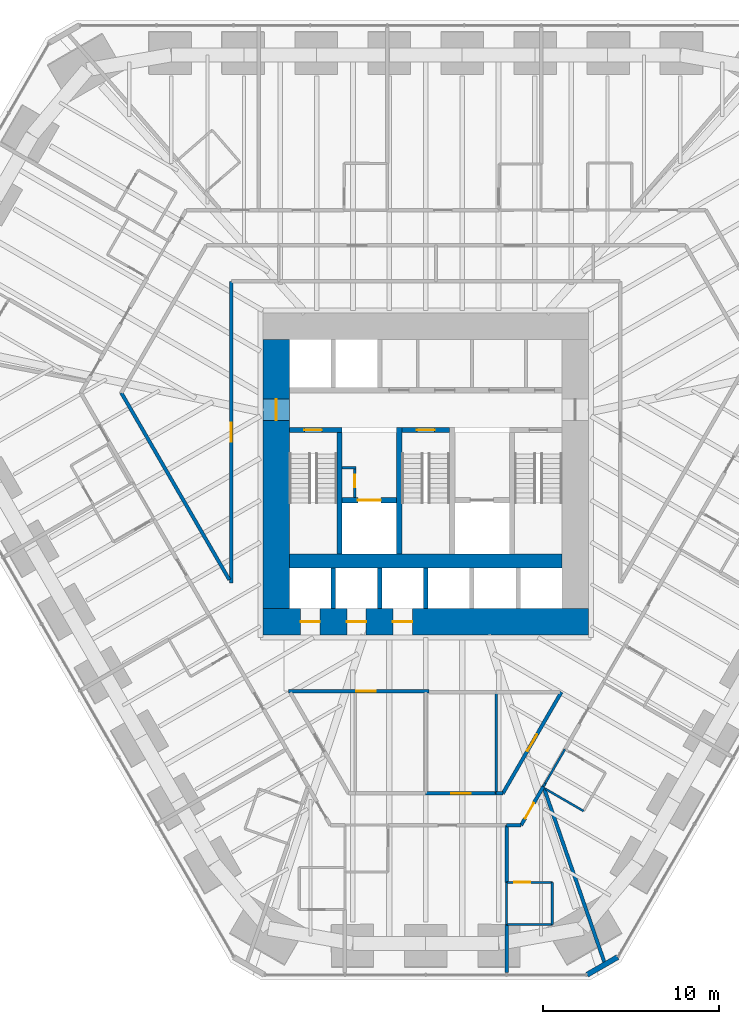
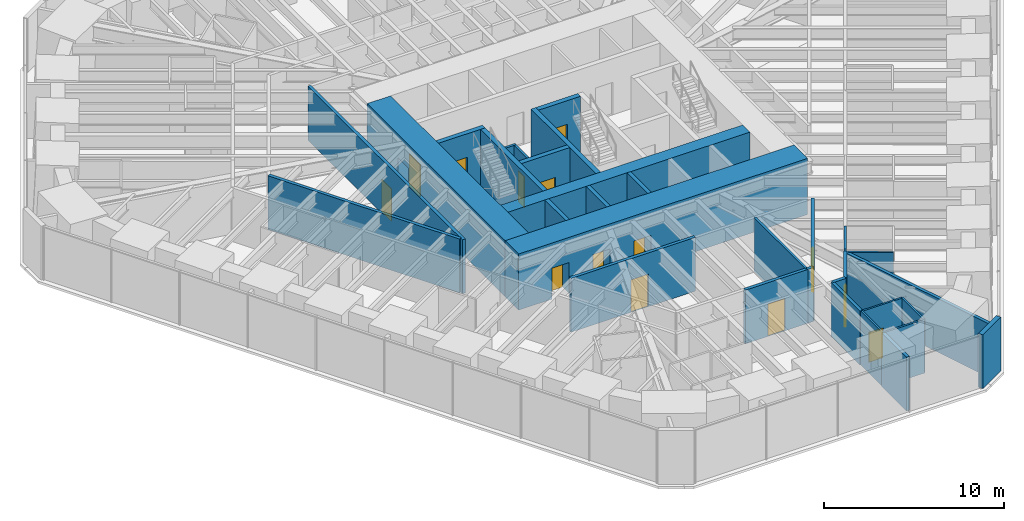
# One storey, part 12 of 17: 33 walls, 14 doors, 14 openings.
"""IFC4 building model written with IfcOpenShell, lengths in metres."""

import ifcopenshell
import ifcopenshell.guid

model = None  # the IFC model being written
_history = None  # IfcOwnerHistory: only IFC2X3 demands one
_inside = {}  # id of a spatial element -> (the spatial element, [elements in it])
_under = {}  # id of a project, library or spatial element -> (it, [spatial elements below it])
_declared = {}  # id of a project -> (the project, [libraries it declares])
_typed = {}  # id of a type object -> (the type object, [elements of that type])
_made_of = {}  # id of a material, layer set ... -> (it, [elements and type objects made of it])


def new_model(schema):
    """Start an empty IFC model of exactly this schema.

    Asked for "IFC4X3", IfcOpenShell would pick the latest addendum, in which some entities
    have other attributes; the version numbers below select the first issue.
    IFC2X3 requires an IfcOwnerHistory on every rooted entity: one is made here for all.
    """
    global model, _history
    if schema == "IFC4X3":
        model = ifcopenshell.file(schema_version=(4, 3, 0, 0))
    else:
        model = ifcopenshell.file(schema=schema)
    _inside.clear()
    _under.clear()
    _declared.clear()
    _typed.clear()
    _made_of.clear()
    _history = None
    if model.schema == "IFC2X3":
        org = make("IfcOrganization", Name="unknown")
        user = make(
            "IfcPersonAndOrganization",
            ThePerson=make("IfcPerson", FamilyName="unknown"),
            TheOrganization=org,
        )
        app = make(
            "IfcApplication",
            ApplicationDeveloper=org,
            Version="unknown",
            ApplicationFullName="unknown",
            ApplicationIdentifier="unknown",
        )
        _history = make(
            "IfcOwnerHistory",
            OwningUser=user,
            OwningApplication=app,
            ChangeAction="ADDED",
            CreationDate=0,
        )
    return model


def make(cls, **values):
    """One entity of the class cls with the attributes given. An attribute that is None is left unset."""
    return model.create_entity(
        cls, **{name: value for name, value in values.items() if value is not None}
    )


def rooted(cls, **values):
    """An entity with a GlobalId (a new one), such as an element, a storey or a relation."""
    return make(cls, GlobalId=ifcopenshell.guid.new(), OwnerHistory=_history, **values)


def si_unit(unit_type, name, prefix=None):
    """IfcSIUnit, for example si_unit("LENGTHUNIT", "METRE", prefix="MILLI")."""
    return make("IfcSIUnit", UnitType=unit_type, Prefix=prefix, Name=name)


def assignment(units):
    """IfcUnitAssignment: the units of a project."""
    return None if units is None else make("IfcUnitAssignment", Units=units)


def point(xyz):
    """IfcCartesianPoint."""
    return None if xyz is None else make("IfcCartesianPoint", Coordinates=xyz)


def direction(xyz):
    """IfcDirection."""
    return None if xyz is None else make("IfcDirection", DirectionRatios=xyz)


def frame(location, z_axis=None, x_axis=None):
    """IfcAxis2Placement3D, a coordinate frame: its origin and axes. An axis left out is left unset."""
    return make(
        "IfcAxis2Placement3D",
        Location=point(location),
        Axis=direction(z_axis),
        RefDirection=direction(x_axis),
    )


def frame_2d(location, x_axis=None):
    """IfcAxis2Placement2D, a coordinate frame in the plane: its origin and x axis."""
    return make(
        "IfcAxis2Placement2D", Location=point(location), RefDirection=direction(x_axis)
    )


def origin():
    """The frame at (0, 0, 0) with its axes left unset."""
    return frame((0.0, 0.0, 0.0))


def place(relative_to, where):
    """IfcLocalPlacement: puts the frame where relative to a parent placement (None: the world)."""
    return make(
        "IfcLocalPlacement", PlacementRelTo=relative_to, RelativePlacement=where
    )


def context(
    kind, dimensions, precision=None, world=None, true_north=None, identifier=None
):
    """IfcGeometricRepresentationContext, for example the 3D "Model" context."""
    return make(
        "IfcGeometricRepresentationContext",
        ContextIdentifier=identifier,
        ContextType=kind,
        CoordinateSpaceDimension=dimensions,
        Precision=precision,
        WorldCoordinateSystem=world,
        TrueNorth=true_north,
    )


def subcontext(parent, identifier, kind, view, scale=None):
    """IfcGeometricRepresentationSubContext, for example "Body" below "Model"."""
    return make(
        "IfcGeometricRepresentationSubContext",
        ContextIdentifier=identifier,
        ContextType=kind,
        ParentContext=parent,
        TargetScale=scale,
        TargetView=view,
    )


def project(units=None, contexts=None):
    """IfcProject with its units and contexts."""
    return rooted(
        "IfcProject",
        Name="project",
        RepresentationContexts=contexts,
        UnitsInContext=assignment(units),
    )


def spatial(cls, under=None, at=None, **own):
    """A site, building, storey or space (cls), placed at a placement, below another one or the project."""
    s = rooted(cls, ObjectPlacement=at, **own)
    if under is not None:
        _under.setdefault(under.id(), (under, []))[1].append(s)
    return s


def profile(cls, at=None, kind="AREA", **sizes):
    """A parametric profile (cls). Its sizes go by their IFC names, for example OverallWidth=200.0."""
    return make(cls, ProfileType=kind, Position=at, **sizes)


def rectangle(**sizes):
    """IfcRectangleProfileDef."""
    return profile("IfcRectangleProfileDef", **sizes)


def extrude(swept, where, along, depth):
    """IfcExtrudedAreaSolid: the profile swept, set in the frame where, extruded along a direction by depth."""
    return make(
        "IfcExtrudedAreaSolid",
        SweptArea=swept,
        Position=where,
        ExtrudedDirection=direction(along),
        Depth=depth,
    )


def shape(context_of_items, identifier, shape_type, items):
    """IfcShapeRepresentation: the items that make up one representation, for example the "Body"."""
    return make(
        "IfcShapeRepresentation",
        ContextOfItems=context_of_items,
        RepresentationIdentifier=identifier,
        RepresentationType=shape_type,
        Items=items,
    )


def material(Name=None, Category=None):
    """IfcMaterial."""
    return make("IfcMaterial", Name=Name, Category=Category)


def layer(
    of_material, thickness, ventilated=None, Name=None, Category=None, Priority=None
):
    """IfcMaterialLayer: one layer of a wall or slab, of a material (None: an air gap)."""
    return make(
        "IfcMaterialLayer",
        Material=of_material,
        LayerThickness=thickness,
        IsVentilated=ventilated,
        Name=Name,
        Category=Category,
        Priority=Priority,
    )


def layer_set(layers, Name=None):
    """IfcMaterialLayerSet."""
    return make("IfcMaterialLayerSet", MaterialLayers=layers, LayerSetName=Name)


def made_of(thing, what):
    """Note that an element or type object is made of a material, layer set ...; save() writes the relation."""
    if what is not None:
        _made_of.setdefault(what.id(), (what, []))[1].append(thing)
    return thing


def type_object(cls, material=None, **own):
    """A type object (cls), such as IfcWallType, which elements share."""
    return made_of(rooted(cls, **own), material)


def element(
    cls,
    number,
    at=None,
    inside=None,
    cuts=None,
    type_object=None,
    material=None,
    context=None,
    identifier="Body",
    shape_type=None,
    held_by="IfcProductDefinitionShape",
    body=None,
    shapes=None,
    **own,
):
    """One element of the class cls, such as IfcWall. Its Tag is "e" and its number.

    at: its placement. inside: the storey or other place that contains it. cuts: it is an
    opening in that element (IfcRelVoidsElement). A single representation is given by context,
    identifier, shape_type and body (its items); several are given by shapes. held_by: the class
    of the entity that holds the representations. save() writes the other relations.
    """
    e = rooted(cls, Tag="e%d" % number, ObjectPlacement=at, **own)
    if body is not None:
        shapes = [shape(context, identifier, shape_type, body)]
    if shapes is not None:
        e.Representation = make(held_by, Representations=shapes)
    if inside is not None:
        _inside.setdefault(inside.id(), (inside, []))[1].append(e)
    if cuts is not None:
        rooted(
            "IfcRelVoidsElement", RelatingBuildingElement=cuts, RelatedOpeningElement=e
        )
    if type_object is not None:
        _typed.setdefault(type_object.id(), (type_object, []))[1].append(e)
    return made_of(e, material)


def fill(opening, filler):
    """IfcRelFillsElement: the door or window that sits in an opening."""
    return rooted(
        "IfcRelFillsElement",
        RelatingOpeningElement=opening,
        RelatedBuildingElement=filler,
    )


def aggregate(whole, parts):
    """IfcRelAggregates: a whole, such as a stair, and the parts it consists of."""
    return rooted("IfcRelAggregates", RelatingObject=whole, RelatedObjects=parts)


def save(model, path):
    """Write the relations noted so far, then the file.

    IfcRelAggregates (storeys below a building ...), IfcRelContainedInSpatialStructure (elements
    in a storey), IfcRelDefinesByType, IfcRelAssociatesMaterial and IfcRelDeclares: one each for
    every whole, place, type object, material and project.
    """
    for whole, parts in _under.values():
        aggregate(whole, parts)
    for where, things in _inside.values():
        rooted(
            "IfcRelContainedInSpatialStructure",
            RelatedElements=things,
            RelatingStructure=where,
        )
    for kind, things in _typed.values():
        rooted("IfcRelDefinesByType", RelatedObjects=things, RelatingType=kind)
    for what, things in _made_of.values():
        rooted("IfcRelAssociatesMaterial", RelatedObjects=things, RelatingMaterial=what)
    for by, libraries in _declared.values():
        rooted("IfcRelDeclares", RelatingContext=by, RelatedDefinitions=libraries)
    model.write(path)


model = new_model("IFC4")

# Units and contexts
model_context = context("Model", 3, precision=1e-05, world=origin(), true_north=direction((0.0, 1.0)))
body_context = subcontext(model_context, "Body", "Model", "MODEL_VIEW")
ifc_project = project(units=[si_unit("LENGTHUNIT", "METRE"), si_unit("AREAUNIT", "SQUARE_METRE"), si_unit("VOLUMEUNIT", "CUBIC_METRE"), si_unit("PLANEANGLEUNIT", "RADIAN"), si_unit("MASSUNIT", "GRAM", prefix="KILO")], contexts=[model_context])

# Site, building, storey
site_placement = place(None, origin())
site = spatial("IfcSite", under=ifc_project, at=site_placement, CompositionType="ELEMENT")
building_placement = place(site_placement, origin())
building = spatial("IfcBuilding", under=site, at=building_placement, Name="Sandreach Pilgrim Tower", CompositionType="ELEMENT")
storey_placement = place(building_placement, frame((0.0, 0.0, 64.800048828125)))
storey = spatial("IfcBuildingStorey", under=building, at=storey_placement, Name="L15", CompositionType="ELEMENT", Elevation=64.800048828125)

# Walls
ifc_material_1 = material(Name="Gypsum board on steel studs", Category="steel")
ifc_layer_1 = layer(ifc_material_1, 0.14990234375)
ifc_layer_set_1 = layer_set([ifc_layer_1], Name="Back of house wall 150")
wall_type_1 = type_object("IfcWallType", Name="Back of house wall 150", PredefinedType="PARTITIONING", material=ifc_layer_set_1)
wall_1_placement = place(storey_placement, frame((4.0, -13.949951171875, 0.0), z_axis=(0.0, 0.0, 1.0), x_axis=(0.0, -1.0, 0.0)))
element("IfcWall", 1, at=wall_1_placement, inside=storey, type_object=wall_type_1, Name="Back of house wall L15-093", PredefinedType="PARTITIONING", context=body_context, shape_type="SweptSolid", body=[
    extrude(rectangle(XDim=5.760009765625, YDim=0.14990234375, at=frame_2d((2.8798828125, 0.0))), origin(), (0.0, 0.0, 1.0), 3.639892578125),
])
ifc_material_2 = material(Name="Moisture-resistant gypsum board on steel studs", Category="steel")
ifc_layer_2 = layer(ifc_material_2, 0.1201171875)
ifc_layer_set_2 = layer_set([ifc_layer_2], Name="Bathroom partition 120")
wall_type_2 = type_object("IfcWallType", Name="Bathroom partition 120", PredefinedType="PARTITIONING", material=ifc_layer_set_2)
wall_2_placement = place(storey_placement, frame((4.590087890625, -27.159912109375, 0.0), z_axis=(0.0, 0.0, 1.0), x_axis=(0.0, 1.0, 0.0)))
element("IfcWall", 2, at=wall_2_placement, inside=storey, type_object=wall_type_2, Name="Bathroom partition L15-099", PredefinedType="PARTITIONING", context=body_context, shape_type="SweptSolid", body=[
    extrude(rectangle(XDim=2.39990234375, YDim=0.1201171875, at=frame_2d((1.199951171875, 0.0))), origin(), (0.0, 0.0, 1.0), 3.639892578125),
])
wall_3_placement = place(storey_placement, frame((4.590087890625, -27.159912109375, 0.0), z_axis=(0.0, 0.0, 1.0), x_axis=(1.0, 0.0, 0.0)))
element("IfcWall", 3, at=wall_3_placement, inside=storey, type_object=wall_type_2, Name="Bathroom partition L15-100", PredefinedType="PARTITIONING", context=body_context, shape_type="SweptSolid", body=[
    extrude(rectangle(XDim=2.599853515625, YDim=0.1201171875, at=frame_2d((1.2998046875, 0.0))), origin(), (0.0, 0.0, 1.0), 3.639892578125),
])
wall_4_placement = place(storey_placement, frame((6.68994140625, -19.31005859375, 0.0), z_axis=(0.0, 0.0, 1.0), x_axis=(0.486146223419, 0.873877479659, 0.0)))
element("IfcWall", 4, at=wall_4_placement, inside=storey, type_object=wall_type_2, Name="Bathroom partition L15-108", PredefinedType="PARTITIONING", context=body_context, shape_type="SweptSolid", body=[
    extrude(rectangle(XDim=0.205810546875, YDim=0.1201171875, at=frame_2d((0.10302734375, 0.0))), origin(), (0.0, 0.0, 1.0), 3.639892578125),
])
wall_5_placement = place(storey_placement, frame((6.7900390625, -19.1298828125, 0.0), z_axis=(0.0, 0.0, 1.0), x_axis=(0.501890014208, 0.864931450254, 0.0)))
element("IfcWall", 5, at=wall_5_placement, inside=storey, type_object=wall_type_2, Name="Bathroom partition L15-109", PredefinedType="PARTITIONING", context=body_context, shape_type="SweptSolid", body=[
    extrude(rectangle(XDim=2.231201171875, YDim=0.1201171875, at=frame_2d((1.11572265625, 0.0))), origin(), (0.0, 0.0, 1.0), 3.639892578125),
])
wall_6_placement = place(storey_placement, frame((6.812255859375, -19.457763671875, 0.0), z_axis=(0.0, 0.0, 1.0), x_axis=(0.864905443987, -0.501934829397, 0.0)))
element("IfcWall", 6, at=wall_6_placement, inside=storey, type_object=wall_type_2, Name="Bathroom partition L15-110", PredefinedType="PARTITIONING", context=body_context, shape_type="SweptSolid", body=[
    extrude(rectangle(XDim=2.49462890625, YDim=0.1201171875, at=frame_2d((1.247314453125, 0.0))), origin(), (0.0, 0.0, 1.0), 3.639892578125),
])
wall_7_placement = place(storey_placement, frame((7.18994140625, -27.159912109375, 0.0), z_axis=(0.0, 0.0, 1.0), x_axis=(0.0, 1.0, 0.0)))
element("IfcWall", 7, at=wall_7_placement, inside=storey, type_object=wall_type_2, Name="Bathroom partition L15-111", PredefinedType="PARTITIONING", context=body_context, shape_type="SweptSolid", body=[
    extrude(rectangle(XDim=2.39990234375, YDim=0.1201171875, at=frame_2d((1.199951171875, 0.0))), origin(), (0.0, 0.0, 1.0), 3.639892578125),
])

# Wall, opening, door
wall_8_placement = place(storey_placement, frame((7.18994140625, -24.760009765625, 0.0), z_axis=(0.0, 0.0, 1.0), x_axis=(-1.0, 0.0, 0.0)))
wall_8 = element("IfcWall", 8, at=wall_8_placement, inside=storey, type_object=wall_type_2, Name="Bathroom partition L15-112", PredefinedType="PARTITIONING", context=body_context, shape_type="SweptSolid", body=[
    extrude(rectangle(XDim=2.599853515625, YDim=0.1201171875, at=frame_2d((1.2998046875, 0.0))), origin(), (0.0, 0.0, 1.0), 3.639892578125),
])
opening_1_placement = place(wall_8_placement, frame((1.25, 0.0, 0.0)))
opening_1 = element("IfcOpeningElement", 9, at=opening_1_placement, cuts=wall_8, Name="Opening D09-11B", PredefinedType="OPENING", context=body_context, shape_type="SweptSolid", body=[
    extrude(rectangle(XDim=0.89990234375, YDim=2.030029296875, at=frame_2d((0.449951171875, 1.01513671875))), frame((0.0, 0.06005859375, 0.0), z_axis=(0.0, -1.0, 0.0), x_axis=(1.0, 0.0, 0.0)), (0.0, 0.0, 1.0), 0.1201171875),
])
ifc_material_3 = material(Name="Timber door, steel frame", Category="steel")
door_type_1 = type_object("IfcDoorType", Name="Bathroom door", OperationType="SINGLE_SWING_LEFT", PredefinedType="DOOR", material=ifc_material_3)
door_1_placement = place(opening_1_placement, origin())
door_1 = element("IfcDoor", 10, at=door_1_placement, inside=storey, type_object=door_type_1, Name="Door 1511B", OperationType="SINGLE_SWING_RIGHT", OverallHeight=2.030029296875, OverallWidth=0.89990234375, PredefinedType="DOOR", context=body_context, shape_type="SweptSolid", body=[
    extrude(rectangle(XDim=0.89990234375, YDim=2.030029296875, at=frame_2d((0.449951171875, 1.01513671875))), frame((0.0, 0.02490234375, 0.0), z_axis=(0.0, -1.0, 0.0), x_axis=(1.0, 0.0, 0.0)), (0.0, 0.0, 1.0), 0.050048828125),
])
fill(opening_1, door_1)

# Walls
ifc_material_4 = material(Name="Concrete 10000 psi", Category="concrete")
ifc_layer_3 = layer(ifc_material_4, 0.300048828125)
ifc_layer_set_3 = layer_set([ifc_layer_3], Name="Core inner wall 300")
wall_type_3 = type_object("IfcWallType", Name="Core inner wall 300", PredefinedType="SHEAR", material=ifc_layer_set_3)
for number, where, z_axis, x_axis, name in (
    (11, (-4.89990234375, -6.10009765625, 0.0), (0.0, 0.0, 1.0), (0.0, 1.0, 0.0), "Core wall I0 L15"),
    (12, (-1.5, -6.10009765625, 0.0), (0.0, 0.0, 1.0), (0.0, 1.0, 0.0), "Core wall I1 L15"),
):
    element("IfcWall", number, at=place(storey_placement, frame(where, z_axis=z_axis, x_axis=x_axis)), inside=storey, type_object=wall_type_3, Name=name, PredefinedType="SHEAR", context=body_context, shape_type="SweptSolid", body=[
        extrude(rectangle(XDim=7.2001953125, YDim=0.300048828125, at=frame_2d((3.60009765625, 0.0))), origin(), (0.0, 0.0, 1.0), 3.800048828125),
    ])

# Wall, opening, door
wall_9_placement = place(storey_placement, frame((-7.75, 0.949951171875, 0.0), z_axis=(0.0, 0.0, 1.0), x_axis=(1.0, 0.0, 0.0)))
wall_9 = element("IfcWall", 13, at=wall_9_placement, inside=storey, type_object=wall_type_3, Name="Core wall SN1 L15", PredefinedType="SHEAR", context=body_context, shape_type="SweptSolid", body=[
    extrude(rectangle(XDim=3.0, YDim=0.300048828125, at=frame_2d((1.5, 0.0))), origin(), (0.0, 0.0, 1.0), 3.800048828125),
])
opening_2_placement = place(wall_9_placement, frame((0.85009765625, 0.0, 0.0)))
opening_2 = element("IfcOpeningElement", 14, at=opening_2_placement, cuts=wall_9, Name="Opening D10S-ST1", PredefinedType="OPENING", context=body_context, shape_type="SweptSolid", body=[
    extrude(rectangle(XDim=1.0, YDim=2.199951171875, at=frame_2d((0.5, 1.10009765625))), frame((0.0, 0.14990234375, 0.0), z_axis=(0.0, -1.0, 0.0), x_axis=(1.0, 0.0, 0.0)), (0.0, 0.0, 1.0), 0.300048828125),
])
ifc_material_5 = material(Name="Steel door and frame", Category="steel")
door_type_2 = type_object("IfcDoorType", Name="Stair door", OperationType="SINGLE_SWING_LEFT", PredefinedType="DOOR", material=ifc_material_5)
door_2_placement = place(opening_2_placement, origin())
door_2 = element("IfcDoor", 15, at=door_2_placement, inside=storey, type_object=door_type_2, Name="Stair door ST1 L15", OperationType="SINGLE_SWING_LEFT", OverallHeight=2.199951171875, OverallWidth=1.0, PredefinedType="DOOR", context=body_context, shape_type="SweptSolid", body=[
    extrude(rectangle(XDim=1.0, YDim=2.199951171875, at=frame_2d((0.5, 1.10009765625))), frame((0.0, 0.02490234375, 0.0), z_axis=(0.0, -1.0, 0.0), x_axis=(1.0, 0.0, 0.0)), (0.0, 0.0, 1.0), 0.050048828125),
])
fill(opening_2, door_2)

wall_10_placement = place(storey_placement, frame((-1.35009765625, 0.949951171875, 0.0), z_axis=(0.0, 0.0, 1.0), x_axis=(1.0, 0.0, 0.0)))
wall_10 = element("IfcWall", 16, at=wall_10_placement, inside=storey, type_object=wall_type_3, Name="Core wall SN3 L15", PredefinedType="SHEAR", context=body_context, shape_type="SweptSolid", body=[
    extrude(rectangle(XDim=2.7001953125, YDim=0.300048828125, at=frame_2d((1.35009765625, 0.0))), origin(), (0.0, 0.0, 1.0), 3.800048828125),
])
opening_3_placement = place(wall_10_placement, frame((0.85009765625, 0.0, 0.0)))
opening_3 = element("IfcOpeningElement", 17, at=opening_3_placement, cuts=wall_10, Name="Opening D10S-ST3", PredefinedType="OPENING", context=body_context, shape_type="SweptSolid", body=[
    extrude(rectangle(XDim=1.0, YDim=2.199951171875, at=frame_2d((0.5, 1.10009765625))), frame((0.0, 0.14990234375, 0.0), z_axis=(0.0, -1.0, 0.0), x_axis=(1.0, 0.0, 0.0)), (0.0, 0.0, 1.0), 0.300048828125),
])
door_3_placement = place(opening_3_placement, origin())
door_3 = element("IfcDoor", 18, at=door_3_placement, inside=storey, type_object=door_type_2, Name="Stair door ST3 L15", OperationType="SINGLE_SWING_LEFT", OverallHeight=2.199951171875, OverallWidth=1.0, PredefinedType="DOOR", context=body_context, shape_type="SweptSolid", body=[
    extrude(rectangle(XDim=1.0, YDim=2.199951171875, at=frame_2d((0.5, 1.10009765625))), frame((0.0, 0.02490234375, 0.0), z_axis=(0.0, -1.0, 0.0), x_axis=(1.0, 0.0, 0.0)), (0.0, 0.0, 1.0), 0.050048828125),
])
fill(opening_3, door_3)

wall_11_placement = place(storey_placement, frame((-4.75, -3.050048828125, 0.0), z_axis=(0.0, 0.0, 1.0), x_axis=(1.0, 0.0, 0.0)))
wall_11 = element("IfcWall", 19, at=wall_11_placement, inside=storey, type_object=wall_type_3, Name="Core wall FL1 L15", PredefinedType="SHEAR", context=body_context, shape_type="SweptSolid", body=[
    extrude(rectangle(XDim=3.10009765625, YDim=0.300048828125, at=frame_2d((1.550048828125, 0.0))), origin(), (0.0, 0.0, 1.0), 3.800048828125),
])
opening_4_placement = place(wall_11_placement, frame((0.89990234375, 0.0, 0.0)))
opening_4 = element("IfcOpeningElement", 20, at=opening_4_placement, cuts=wall_11, Name="Opening LD13", PredefinedType="OPENING", context=body_context, shape_type="SweptSolid", body=[
    extrude(rectangle(XDim=1.300048828125, YDim=2.10009765625, at=frame_2d((0.64990234375, 1.050048828125))), frame((0.0, 0.14990234375, 0.0), z_axis=(0.0, -1.0, 0.0), x_axis=(1.0, 0.0, 0.0)), (0.0, 0.0, 1.0), 0.300048828125),
])
ifc_material_6 = material(Name="Steel door and frame", Category="steel")
door_type_3 = type_object("IfcDoorType", Name="Fire service lift landing door", OperationType="DOUBLE_DOOR_SLIDING", PredefinedType="DOOR", material=ifc_material_6)
door_4_placement = place(opening_4_placement, origin())
door_4 = element("IfcDoor", 21, at=door_4_placement, inside=storey, type_object=door_type_3, Name="Lift landing door FS1 L15", OperationType="DOUBLE_DOOR_SLIDING", OverallHeight=2.10009765625, OverallWidth=1.300048828125, PredefinedType="DOOR", context=body_context, shape_type="SweptSolid", body=[
    extrude(rectangle(XDim=1.300048828125, YDim=2.10009765625, at=frame_2d((0.64990234375, 1.050048828125))), frame((0.0, 0.02490234375, 0.0), z_axis=(0.0, -1.0, 0.0), x_axis=(1.0, 0.0, 0.0)), (0.0, 0.0, 1.0), 0.050048828125),
])
fill(opening_4, door_4)

# Wall
ifc_material_7 = material(Name="Concrete 10000 psi", Category="concrete")
ifc_layer_4 = layer(ifc_material_7, 0.800048828125)
ifc_layer_set_4 = layer_set([ifc_layer_4], Name="Core mid wall 800")
wall_type_4 = type_object("IfcWallType", Name="Core mid wall 800", PredefinedType="SHEAR", material=ifc_layer_set_4)
wall_12_placement = place(storey_placement, frame((-7.75, -6.5, 0.0), z_axis=(0.0, 0.0, 1.0), x_axis=(1.0, 0.0, 0.0)))
element("IfcWall", 22, at=wall_12_placement, inside=storey, type_object=wall_type_4, Name="Core wall M L15", PredefinedType="SHEAR", context=body_context, shape_type="SweptSolid", body=[
    extrude(rectangle(XDim=15.5, YDim=0.800048828125, at=frame_2d((7.75, 0.0))), origin(), (0.0, 0.0, 1.0), 3.800048828125),
])

# Wall, openings, doors
ifc_material_8 = material(Name="Concrete 10000 psi", Category="concrete")
ifc_layer_5 = layer(ifc_material_8, 1.5)
ifc_layer_set_5 = layer_set([ifc_layer_5], Name="Core wall 1500")
wall_type_5 = type_object("IfcWallType", Name="Core wall 1500", PredefinedType="SHEAR", material=ifc_layer_set_5)
wall_13_placement = place(storey_placement, frame((-9.25, -9.949951171875, 0.0), z_axis=(0.0, 0.0, 1.0), x_axis=(1.0, 0.0, 0.0)))
wall_13 = element("IfcWall", 23, at=wall_13_placement, inside=storey, type_object=wall_type_5, Name="Core wall S L15", PredefinedType="SHEAR", context=body_context, shape_type="SweptSolid", body=[
    extrude(rectangle(XDim=18.5, YDim=1.5, at=frame_2d((9.25, 0.0))), origin(), (0.0, 0.0, 1.0), 3.800048828125),
])
opening_5_placement = place(wall_13_placement, frame((2.137451171875, 0.0, 0.0)))
opening_5 = element("IfcOpeningElement", 24, at=opening_5_placement, cuts=wall_13, Name="Opening LD11", PredefinedType="OPENING", context=body_context, shape_type="SweptSolid", body=[
    extrude(rectangle(XDim=1.10009765625, YDim=2.10009765625, at=frame_2d((0.550048828125, 1.050048828125))), frame((0.0, 0.75, 0.0), z_axis=(0.0, -1.0, 0.0), x_axis=(1.0, 0.0, 0.0)), (0.0, 0.0, 1.0), 1.5),
])
opening_6_placement = place(wall_13_placement, frame((4.762451171875, 0.0, 0.0)))
opening_6 = element("IfcOpeningElement", 25, at=opening_6_placement, cuts=wall_13, Name="Opening LD11", PredefinedType="OPENING", context=body_context, shape_type="SweptSolid", body=[
    extrude(rectangle(XDim=1.10009765625, YDim=2.10009765625, at=frame_2d((0.550048828125, 1.050048828125))), frame((0.0, 0.75, 0.0), z_axis=(0.0, -1.0, 0.0), x_axis=(1.0, 0.0, 0.0)), (0.0, 0.0, 1.0), 1.5),
])
opening_7_placement = place(wall_13_placement, frame((7.387451171875, 0.0, 0.0)))
opening_7 = element("IfcOpeningElement", 26, at=opening_7_placement, cuts=wall_13, Name="Opening LD11", PredefinedType="OPENING", context=body_context, shape_type="SweptSolid", body=[
    extrude(rectangle(XDim=1.10009765625, YDim=2.10009765625, at=frame_2d((0.550048828125, 1.050048828125))), frame((0.0, 0.75, 0.0), z_axis=(0.0, -1.0, 0.0), x_axis=(1.0, 0.0, 0.0)), (0.0, 0.0, 1.0), 1.5),
])
ifc_material_9 = material(Name="Steel door and frame", Category="steel")
door_type_4 = type_object("IfcDoorType", Name="Lift landing door", OperationType="DOUBLE_DOOR_SLIDING", PredefinedType="DOOR", material=ifc_material_9)
door_5_placement = place(opening_5_placement, origin())
door_5 = element("IfcDoor", 27, at=door_5_placement, inside=storey, type_object=door_type_4, Name="Lift landing door Z1A L15", OperationType="DOUBLE_DOOR_SLIDING", OverallHeight=2.10009765625, OverallWidth=1.10009765625, PredefinedType="DOOR", context=body_context, shape_type="SweptSolid", body=[
    extrude(rectangle(XDim=1.10009765625, YDim=2.10009765625, at=frame_2d((0.550048828125, 1.050048828125))), frame((0.0, 0.02490234375, 0.0), z_axis=(0.0, -1.0, 0.0), x_axis=(1.0, 0.0, 0.0)), (0.0, 0.0, 1.0), 0.050048828125),
])
fill(opening_5, door_5)
door_6_placement = place(opening_6_placement, origin())
door_6 = element("IfcDoor", 28, at=door_6_placement, inside=storey, type_object=door_type_4, Name="Lift landing door Z1B L15", OperationType="DOUBLE_DOOR_SLIDING", OverallHeight=2.10009765625, OverallWidth=1.10009765625, PredefinedType="DOOR", context=body_context, shape_type="SweptSolid", body=[
    extrude(rectangle(XDim=1.10009765625, YDim=2.10009765625, at=frame_2d((0.550048828125, 1.050048828125))), frame((0.0, 0.02490234375, 0.0), z_axis=(0.0, -1.0, 0.0), x_axis=(1.0, 0.0, 0.0)), (0.0, 0.0, 1.0), 0.050048828125),
])
fill(opening_6, door_6)
door_7_placement = place(opening_7_placement, origin())
door_7 = element("IfcDoor", 29, at=door_7_placement, inside=storey, type_object=door_type_4, Name="Lift landing door Z1C L15", OperationType="DOUBLE_DOOR_SLIDING", OverallHeight=2.10009765625, OverallWidth=1.10009765625, PredefinedType="DOOR", context=body_context, shape_type="SweptSolid", body=[
    extrude(rectangle(XDim=1.10009765625, YDim=2.10009765625, at=frame_2d((0.550048828125, 1.050048828125))), frame((0.0, 0.02490234375, 0.0), z_axis=(0.0, -1.0, 0.0), x_axis=(1.0, 0.0, 0.0)), (0.0, 0.0, 1.0), 0.050048828125),
])
fill(opening_7, door_7)

# Wall, opening, door
wall_14_placement = place(storey_placement, frame((-8.5, -9.199951171875, 0.0), z_axis=(0.0, 0.0, 1.0), x_axis=(0.0, 1.0, 0.0)))
wall_14 = element("IfcWall", 30, at=wall_14_placement, inside=storey, type_object=wall_type_5, Name="Core wall W L15", PredefinedType="SHEAR", context=body_context, shape_type="SweptSolid", body=[
    extrude(rectangle(XDim=15.300048828125, YDim=1.5, at=frame_2d((7.64990234375, 0.0))), origin(), (0.0, 0.0, 1.0), 3.800048828125),
])
opening_8_placement = place(wall_14_placement, frame((10.699951171875, 0.0, 0.0)))
opening_8 = element("IfcOpeningElement", 31, at=opening_8_placement, cuts=wall_14, Name="Opening D12F-W", PredefinedType="OPENING", context=body_context, shape_type="SweptSolid", body=[
    extrude(rectangle(XDim=1.199951171875, YDim=2.199951171875, at=frame_2d((0.60009765625, 1.10009765625))), frame((0.0, 0.75, 0.0), z_axis=(0.0, -1.0, 0.0), x_axis=(1.0, 0.0, 0.0)), (0.0, 0.0, 1.0), 1.5),
])
ifc_material_10 = material(Name="Steel door and frame", Category="steel")
door_type_5 = type_object("IfcDoorType", Name="Fire lobby door", OperationType="SINGLE_SWING_LEFT", PredefinedType="DOOR", material=ifc_material_10)
door_8_placement = place(opening_8_placement, origin())
door_8 = element("IfcDoor", 32, at=door_8_placement, inside=storey, type_object=door_type_5, Name="Fire service lobby door W L15", OperationType="SINGLE_SWING_RIGHT", OverallHeight=2.199951171875, OverallWidth=1.199951171875, PredefinedType="DOOR", context=body_context, shape_type="SweptSolid", body=[
    extrude(rectangle(XDim=1.199951171875, YDim=2.199951171875, at=frame_2d((0.60009765625, 1.10009765625))), frame((0.0, 0.02490234375, 0.0), z_axis=(0.0, -1.0, 0.0), x_axis=(1.0, 0.0, 0.0)), (0.0, 0.0, 1.0), 0.050048828125),
])
fill(opening_8, door_8)

# Wall
ifc_material_11 = material(Name="Gypsum board on steel studs, two layers each side", Category="steel")
ifc_layer_6 = layer(ifc_material_11, 0.199951171875)
ifc_layer_set_6 = layer_set([ifc_layer_6], Name="Corridor wall 200")
wall_type_6 = type_object("IfcWallType", Name="Corridor wall 200", PredefinedType="PARTITIONING", material=ifc_layer_set_6)
wall_15_placement = place(storey_placement, frame((-11.16015625, -7.569580078125, 0.0), z_axis=(0.0, 0.0, 1.0), x_axis=(-0.500175206663, 0.865924224537, 0.0)))
element("IfcWall", 33, at=wall_15_placement, inside=storey, type_object=wall_type_6, Name="Corridor wall L15-047", PredefinedType="PARTITIONING", context=body_context, shape_type="SweptSolid", body=[
    extrude(rectangle(XDim=12.275390625, YDim=0.199951171875, at=frame_2d((6.1376953125, 0.0))), origin(), (0.0, 0.0, 1.0), 3.639892578125),
])

# Wall, opening, door
wall_16_placement = place(storey_placement, frame((-11.050048828125, 9.39990234375, 0.0), z_axis=(0.0, 0.0, 1.0), x_axis=(0.0, -1.0, 0.0)))
wall_16 = element("IfcWall", 34, at=wall_16_placement, inside=storey, type_object=wall_type_6, Name="Corridor wall L15-049", PredefinedType="PARTITIONING", context=body_context, shape_type="SweptSolid", body=[
    extrude(rectangle(XDim=17.159912109375, YDim=0.199951171875, at=frame_2d((8.580078125, 0.0))), origin(), (0.0, 0.0, 1.0), 3.639892578125),
])
opening_9_placement = place(wall_16_placement, frame((8.030029296875, 0.0, 0.0)))
opening_9 = element("IfcOpeningElement", 35, at=opening_9_placement, cuts=wall_16, Name="Opening D11H-M01", PredefinedType="OPENING", context=body_context, shape_type="SweptSolid", body=[
    extrude(rectangle(XDim=1.10009765625, YDim=2.199951171875, at=frame_2d((0.550048828125, 1.10009765625))), frame((0.0, 0.10009765625, 0.0), z_axis=(0.0, -1.0, 0.0), x_axis=(1.0, 0.0, 0.0)), (0.0, 0.0, 1.0), 0.199951171875),
])
ifc_material_12 = material(Name="Steel door and frame", Category="steel")
door_type_6 = type_object("IfcDoorType", Name="Back of house door", OperationType="SINGLE_SWING_LEFT", PredefinedType="DOOR", material=ifc_material_12)
door_9_placement = place(opening_9_placement, origin())
door_9 = element("IfcDoor", 36, at=door_9_placement, inside=storey, type_object=door_type_6, Name="Door 15M01", OperationType="SINGLE_SWING_LEFT", OverallHeight=2.199951171875, OverallWidth=1.10009765625, PredefinedType="DOOR", context=body_context, shape_type="SweptSolid", body=[
    extrude(rectangle(XDim=1.10009765625, YDim=2.199951171875, at=frame_2d((0.550048828125, 1.10009765625))), frame((0.0, 0.02490234375, 0.0), z_axis=(0.0, -1.0, 0.0), x_axis=(1.0, 0.0, 0.0)), (0.0, 0.0, 1.0), 0.050048828125),
])
fill(opening_9, door_9)

wall_17_placement = place(storey_placement, frame((0.179931640625, -13.89990234375, 0.0), z_axis=(0.0, 0.0, 1.0), x_axis=(-1.0, 0.0, 0.0)))
wall_17 = element("IfcWall", 37, at=wall_17_placement, inside=storey, type_object=wall_type_6, Name="Corridor wall L15-088", PredefinedType="PARTITIONING", context=body_context, shape_type="SweptSolid", body=[
    extrude(rectangle(XDim=7.969970703125, YDim=0.199951171875, at=frame_2d((3.98486328125, 0.0))), origin(), (0.0, 0.0, 1.0), 3.639892578125),
])
opening_10_placement = place(wall_17_placement, frame((3.034912109375, 0.0, 0.0)))
opening_10 = element("IfcOpeningElement", 38, at=opening_10_placement, cuts=wall_17, Name="Opening D11H-S2", PredefinedType="OPENING", context=body_context, shape_type="SweptSolid", body=[
    extrude(rectangle(XDim=1.10009765625, YDim=2.199951171875, at=frame_2d((0.550048828125, 1.10009765625))), frame((0.0, 0.10009765625, 0.0), z_axis=(0.0, -1.0, 0.0), x_axis=(1.0, 0.0, 0.0)), (0.0, 0.0, 1.0), 0.199951171875),
])
door_10_placement = place(opening_10_placement, origin())
door_10 = element("IfcDoor", 39, at=door_10_placement, inside=storey, type_object=door_type_6, Name="Door 15S2", OperationType="SINGLE_SWING_LEFT", OverallHeight=2.199951171875, OverallWidth=1.10009765625, PredefinedType="DOOR", context=body_context, shape_type="SweptSolid", body=[
    extrude(rectangle(XDim=1.10009765625, YDim=2.199951171875, at=frame_2d((0.550048828125, 1.10009765625))), frame((0.0, 0.02490234375, 0.0), z_axis=(0.0, -1.0, 0.0), x_axis=(1.0, 0.0, 0.0)), (0.0, 0.0, 1.0), 0.050048828125),
])
fill(opening_10, door_10)

wall_18_placement = place(storey_placement, frame((4.0, -19.7099609375, 0.0), z_axis=(0.0, 0.0, 1.0), x_axis=(-1.0, 0.0, 0.0)))
wall_18 = element("IfcWall", 40, at=wall_18_placement, inside=storey, type_object=wall_type_6, Name="Corridor wall L15-092", PredefinedType="PARTITIONING", context=body_context, shape_type="SweptSolid", body=[
    extrude(rectangle(XDim=4.0, YDim=0.199951171875, at=frame_2d((2.0, 0.0))), origin(), (0.0, 0.0, 1.0), 3.639892578125),
])
opening_11_placement = place(wall_18_placement, frame((1.449951171875, 0.0, 0.0)))
opening_11 = element("IfcOpeningElement", 41, at=opening_11_placement, cuts=wall_18, Name="Opening D11H-S3", PredefinedType="OPENING", context=body_context, shape_type="SweptSolid", body=[
    extrude(rectangle(XDim=1.10009765625, YDim=2.199951171875, at=frame_2d((0.550048828125, 1.10009765625))), frame((0.0, 0.10009765625, 0.0), z_axis=(0.0, -1.0, 0.0), x_axis=(1.0, 0.0, 0.0)), (0.0, 0.0, 1.0), 0.199951171875),
])
door_11_placement = place(opening_11_placement, origin())
door_11 = element("IfcDoor", 42, at=door_11_placement, inside=storey, type_object=door_type_6, Name="Door 15S3", OperationType="SINGLE_SWING_LEFT", OverallHeight=2.199951171875, OverallWidth=1.10009765625, PredefinedType="DOOR", context=body_context, shape_type="SweptSolid", body=[
    extrude(rectangle(XDim=1.10009765625, YDim=2.199951171875, at=frame_2d((0.550048828125, 1.10009765625))), frame((0.0, 0.02490234375, 0.0), z_axis=(0.0, -1.0, 0.0), x_axis=(1.0, 0.0, 0.0)), (0.0, 0.0, 1.0), 0.050048828125),
])
fill(opening_11, door_11)

# Walls
wall_19_placement = place(storey_placement, frame((4.3798828125, -19.7099609375, 0.0), z_axis=(0.0, 0.0, 1.0), x_axis=(-1.0, 0.0, 0.0)))
element("IfcWall", 43, at=wall_19_placement, inside=storey, type_object=wall_type_6, Name="Corridor wall L15-097", PredefinedType="PARTITIONING", context=body_context, shape_type="SweptSolid", body=[
    extrude(rectangle(XDim=0.3798828125, YDim=0.199951171875, at=frame_2d((0.18994140625, 0.0))), origin(), (0.0, 0.0, 1.0), 3.639892578125),
])
wall_20_placement = place(storey_placement, frame((4.590087890625, -21.510009765625, 0.0), z_axis=(0.0, 0.0, 1.0), x_axis=(1.0, 0.0, 0.0)))
element("IfcWall", 44, at=wall_20_placement, inside=storey, type_object=wall_type_6, Name="Corridor wall L15-102", PredefinedType="PARTITIONING", context=body_context, shape_type="SweptSolid", body=[
    extrude(rectangle(XDim=0.829833984375, YDim=0.199951171875, at=frame_2d((0.4150390625, 0.0))), origin(), (0.0, 0.0, 1.0), 3.639892578125),
])

# Wall, opening, door
wall_21_placement = place(storey_placement, frame((5.419921875, -21.510009765625, 0.0), z_axis=(0.0, 0.0, 1.0), x_axis=(0.499963722229, 0.866046347752, 0.0)))
wall_21 = element("IfcWall", 45, at=wall_21_placement, inside=storey, type_object=wall_type_6, Name="Corridor wall L15-103", PredefinedType="PARTITIONING", context=body_context, shape_type="SweptSolid", body=[
    extrude(rectangle(XDim=2.540283203125, YDim=0.199951171875, at=frame_2d((1.27001953125, 0.0))), origin(), (0.0, 0.0, 1.0), 3.639892578125),
])
opening_12_placement = place(wall_21_placement, frame((0.449951171875, 0.0, 0.0)))
opening_12 = element("IfcOpeningElement", 46, at=opening_12_placement, cuts=wall_21, Name="Opening D10-11", PredefinedType="OPENING", context=body_context, shape_type="SweptSolid", body=[
    extrude(rectangle(XDim=1.0, YDim=2.1298828125, at=frame_2d((0.5, 1.06494140625))), frame((0.0, 0.10009765625, 0.0), z_axis=(0.0, -1.0, 0.0), x_axis=(1.0, 0.0, 0.0)), (0.0, 0.0, 1.0), 0.199951171875),
])
ifc_material_13 = material(Name="Steel door and frame", Category="steel")
door_type_7 = type_object("IfcDoorType", Name="Guest room entry door", OperationType="SINGLE_SWING_LEFT", PredefinedType="DOOR", material=ifc_material_13)
door_12_placement = place(opening_12_placement, origin())
door_12 = element("IfcDoor", 47, at=door_12_placement, inside=storey, type_object=door_type_7, Name="Door 1511", OperationType="SINGLE_SWING_LEFT", OverallHeight=2.1298828125, OverallWidth=1.0, PredefinedType="DOOR", context=body_context, shape_type="SweptSolid", body=[
    extrude(rectangle(XDim=1.0, YDim=2.1298828125, at=frame_2d((0.5, 1.06494140625))), frame((0.0, 0.02490234375, 0.0), z_axis=(0.0, -1.0, 0.0), x_axis=(1.0, 0.0, 0.0)), (0.0, 0.0, 1.0), 0.050048828125),
])
fill(opening_12, door_12)

wall_22_placement = place(storey_placement, frame((7.7099609375, -13.949951171875, 0.0), z_axis=(0.0, 0.0, 1.0), x_axis=(-0.500511113963, -0.865730110831, 0.0)))
wall_22 = element("IfcWall", 48, at=wall_22_placement, inside=storey, type_object=wall_type_6, Name="Corridor wall L15-113", PredefinedType="PARTITIONING", context=body_context, shape_type="SweptSolid", body=[
    extrude(rectangle(XDim=6.6533203125, YDim=0.199951171875, at=frame_2d((3.32666015625, 0.0))), origin(), (0.0, 0.0, 1.0), 3.639892578125),
])
opening_13_placement = place(wall_22_placement, frame((2.776611328125, 0.0, 0.0)))
opening_13 = element("IfcOpeningElement", 49, at=opening_13_placement, cuts=wall_22, Name="Opening D11H-S4", PredefinedType="OPENING", context=body_context, shape_type="SweptSolid", body=[
    extrude(rectangle(XDim=1.10009765625, YDim=2.199951171875, at=frame_2d((0.550048828125, 1.10009765625))), frame((0.0, 0.10009765625, 0.0), z_axis=(0.0, -1.0, 0.0), x_axis=(1.0, 0.0, 0.0)), (0.0, 0.0, 1.0), 0.199951171875),
])
door_13_placement = place(opening_13_placement, origin())
door_13 = element("IfcDoor", 50, at=door_13_placement, inside=storey, type_object=door_type_6, Name="Door 15S4", OperationType="SINGLE_SWING_LEFT", OverallHeight=2.199951171875, OverallWidth=1.10009765625, PredefinedType="DOOR", context=body_context, shape_type="SweptSolid", body=[
    extrude(rectangle(XDim=1.10009765625, YDim=2.199951171875, at=frame_2d((0.550048828125, 1.10009765625))), frame((0.0, 0.02490234375, 0.0), z_axis=(0.0, -1.0, 0.0), x_axis=(1.0, 0.0, 0.0)), (0.0, 0.0, 1.0), 0.050048828125),
])
fill(opening_13, door_13)

# Walls
ifc_material_14 = material(Name="Double steel stud acoustic wall, gypsum board", Category="steel")
ifc_layer_7 = layer(ifc_material_14, 0.199951171875)
ifc_layer_set_7 = layer_set([ifc_layer_7], Name="Party wall 200")
wall_type_7 = type_object("IfcWallType", Name="Party wall 200", PredefinedType="PARTITIONING", material=ifc_layer_set_7)
wall_23_placement = place(storey_placement, frame((4.590087890625, -29.889892578125, 0.0), z_axis=(0.0, 0.0, 1.0), x_axis=(0.0, 1.0, 0.0)))
element("IfcWall", 51, at=wall_23_placement, inside=storey, type_object=wall_type_7, Name="Party wall L15-098", PredefinedType="PARTITIONING", context=body_context, shape_type="SweptSolid", body=[
    extrude(rectangle(XDim=2.72998046875, YDim=0.199951171875, at=frame_2d((1.364990234375, 0.0))), origin(), (0.0, 0.0, 1.0), 3.639892578125),
])
wall_24_placement = place(storey_placement, frame((4.590087890625, -24.760009765625, 0.0), z_axis=(0.0, 0.0, 1.0), x_axis=(0.0, 1.0, 0.0)))
element("IfcWall", 52, at=wall_24_placement, inside=storey, type_object=wall_type_7, Name="Party wall L15-101", PredefinedType="PARTITIONING", context=body_context, shape_type="SweptSolid", body=[
    extrude(rectangle(XDim=3.239990234375, YDim=0.199951171875, at=frame_2d((1.6201171875, 0.0))), origin(), (0.0, 0.0, 1.0), 3.639892578125),
])
wall_25_placement = place(storey_placement, frame((10.2001953125, -29.441650390625, 0.0), z_axis=(0.0, 0.0, 1.0), x_axis=(-0.327758043269, 0.944761697505, 0.0)))
element("IfcWall", 53, at=wall_25_placement, inside=storey, type_object=wall_type_7, Name="Party wall L15-123", PredefinedType="PARTITIONING", context=body_context, shape_type="SweptSolid", body=[
    extrude(rectangle(XDim=10.6181640625, YDim=0.199951171875, at=frame_2d((5.30908203125, 0.0))), origin(), (0.0, 0.0, 1.0), 3.639892578125),
])

# Wall, opening, door
ifc_material_15 = material(Name="Gypsum shaft wall on steel studs, shaft liner board", Category="steel")
ifc_layer_8 = layer(ifc_material_15, 0.14990234375)
ifc_layer_set_8 = layer_set([ifc_layer_8], Name="Riser shaft wall 150")
wall_type_8 = type_object("IfcWallType", Name="Riser shaft wall 150", PredefinedType="PARTITIONING", material=ifc_layer_set_8)
wall_26_placement = place(storey_placement, frame((-4.02490234375, -2.89990234375, 0.0), z_axis=(0.0, 0.0, 1.0), x_axis=(0.0, 1.0, 0.0)))
wall_26 = element("IfcWall", 54, at=wall_26_placement, inside=storey, type_object=wall_type_8, Name="Riser partition L15 side", PredefinedType="PARTITIONING", context=body_context, shape_type="SweptSolid", body=[
    extrude(rectangle(XDim=1.77490234375, YDim=0.14990234375, at=frame_2d((0.887451171875, 0.0))), origin(), (0.0, 0.0, 1.0), 3.639892578125),
])
opening_14_placement = place(wall_26_placement, frame((0.60009765625, 0.0, 0.0)))
opening_14 = element("IfcOpeningElement", 55, at=opening_14_placement, cuts=wall_26, Name="Opening D07R", PredefinedType="OPENING", context=body_context, shape_type="SweptSolid", body=[
    extrude(rectangle(XDim=0.699951171875, YDim=2.10009765625, at=frame_2d((0.35009765625, 1.050048828125))), frame((0.0, 0.074951171875, 0.0), z_axis=(0.0, -1.0, 0.0), x_axis=(1.0, 0.0, 0.0)), (0.0, 0.0, 1.0), 0.14990234375),
])
ifc_material_16 = material(Name="Steel door and frame, smoke seals", Category="steel")
door_type_8 = type_object("IfcDoorType", Name="Riser access door", OperationType="SINGLE_SWING_RIGHT", PredefinedType="DOOR", material=ifc_material_16)
door_14_placement = place(opening_14_placement, origin())
door_14 = element("IfcDoor", 56, at=door_14_placement, inside=storey, type_object=door_type_8, Name="Door riser 15ER", OperationType="SINGLE_SWING_RIGHT", OverallHeight=2.10009765625, OverallWidth=0.699951171875, PredefinedType="DOOR", context=body_context, shape_type="SweptSolid", body=[
    extrude(rectangle(XDim=0.699951171875, YDim=2.10009765625, at=frame_2d((0.35009765625, 1.050048828125))), frame((0.0, 0.02490234375, 0.0), z_axis=(0.0, -1.0, 0.0), x_axis=(1.0, 0.0, 0.0)), (0.0, 0.0, 1.0), 0.050048828125),
])
fill(opening_14, door_14)

# Walls
wall_27_placement = place(storey_placement, frame((-4.75, -1.199951171875, 0.0), z_axis=(0.0, 0.0, 1.0), x_axis=(1.0, 0.0, 0.0)))
element("IfcWall", 57, at=wall_27_placement, inside=storey, type_object=wall_type_8, Name="Riser partition L15 front", PredefinedType="PARTITIONING", context=body_context, shape_type="SweptSolid", body=[
    extrude(rectangle(XDim=0.800048828125, YDim=0.14990234375, at=frame_2d((0.39990234375, 0.0))), origin(), (0.0, 0.0, 1.0), 3.639892578125),
])
ifc_material_17 = material(Name="Gypsum shaft wall on steel studs, two layers of shaft liner board", Category="steel")
ifc_layer_9 = layer(ifc_material_17, 0.25)
ifc_layer_set_9 = layer_set([ifc_layer_9], Name="Shaft partition 250")
wall_type_9 = type_object("IfcWallType", Name="Shaft partition 250", PredefinedType="PARTITIONING", material=ifc_layer_set_9)
for number, where, z_axis, x_axis, name in (
    (58, (-5.25, -9.199951171875, 0.0), (0.0, 0.0, 1.0), (0.0, 1.0, 0.0), "Shaft partition XS0 L15"),
    (59, (-2.625, -9.199951171875, 0.0), (0.0, 0.0, 1.0), (0.0, 1.0, 0.0), "Shaft partition XS1 L15"),
    (60, (0.0, -9.199951171875, 0.0), (0.0, 0.0, 1.0), (0.0, 1.0, 0.0), "Shaft partition XS2 L15"),
):
    element("IfcWall", number, at=place(storey_placement, frame(where, z_axis=z_axis, x_axis=x_axis)), inside=storey, type_object=wall_type_9, Name=name, PredefinedType="PARTITIONING", context=body_context, shape_type="SweptSolid", body=[
        extrude(rectangle(XDim=2.300048828125, YDim=0.25, at=frame_2d((1.14990234375, 0.0))), origin(), (0.0, 0.0, 1.0), 3.800048828125),
    ])
ifc_material_18 = material(Name="Terracotta rainscreen on concrete", Category="masonry")
ifc_layer_10 = layer(ifc_material_18, 0.300048828125)
ifc_layer_set_10 = layer_set([ifc_layer_10], Name="Terracotta chamfer pier")
wall_type_10 = type_object("IfcWallType", Name="Terracotta chamfer pier", PredefinedType="SOLIDWALL", material=ifc_layer_set_10)
wall_28_placement = place(storey_placement, frame((10.904052734375, -29.010986328125, 0.0), z_axis=(0.0, 0.0, 1.0), x_axis=(-0.866010750942, -0.50002537861, 0.0)))
element("IfcWall", 61, at=wall_28_placement, inside=storey, type_object=wall_type_10, Name="Chamfer pier L15 SE", PredefinedType="SOLIDWALL", context=body_context, shape_type="SweptSolid", body=[
    extrude(rectangle(XDim=2.0, YDim=0.300048828125, at=frame_2d((1.0, 0.0))), origin(), (0.0, 0.0, 1.0), 3.639892578125),
])

save(model, "model.ifc")
